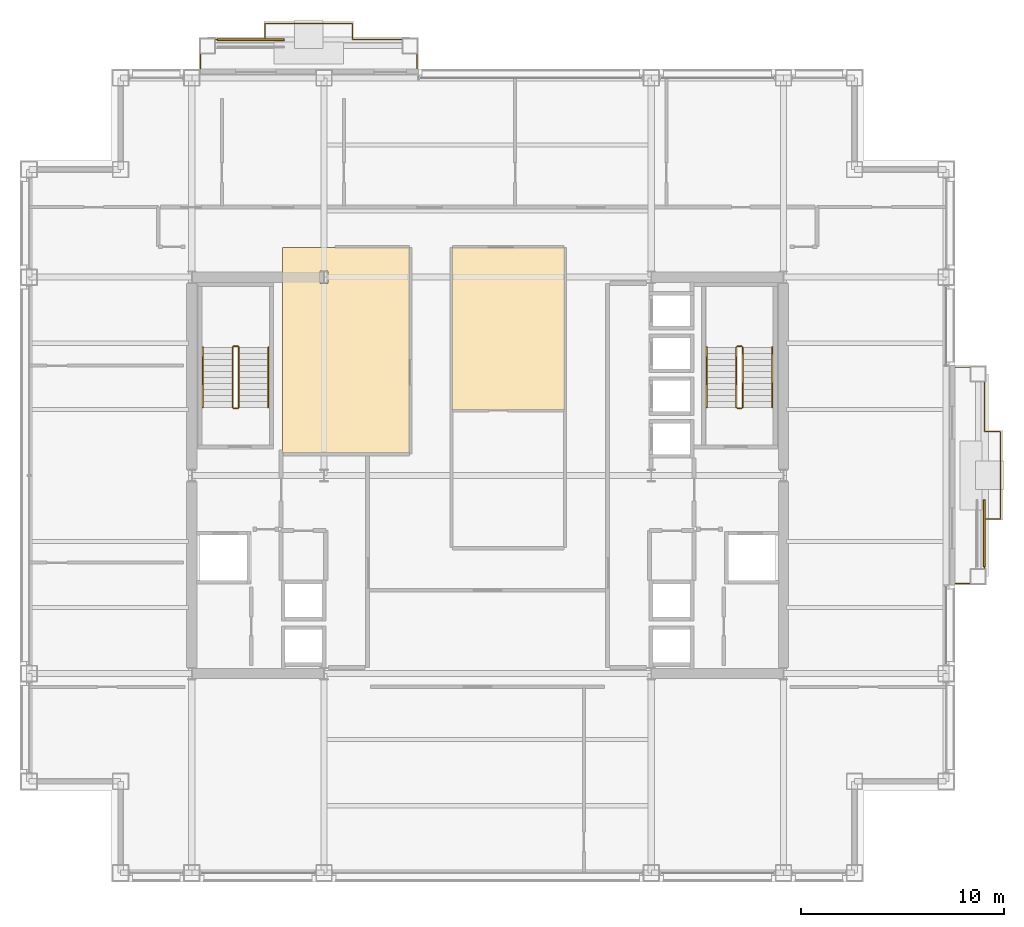
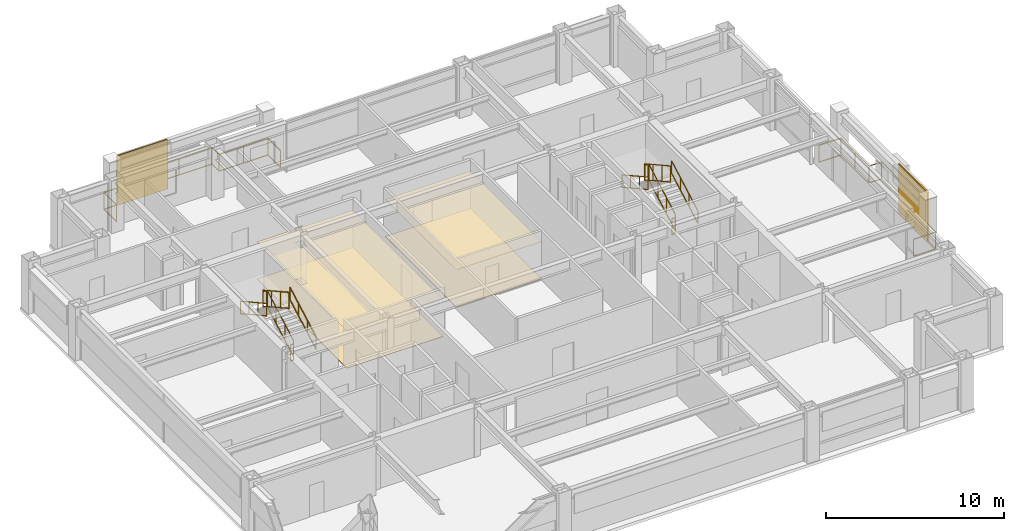
# One storey, part 28 of 29: 14 railings, 4 coverings, 2 shading devices.
"""IFC4 building model written with IfcOpenShell, lengths in metres."""

from ifc_helpers import new_model, si_unit, direction, frame, origin, origin_2d, place, context, subcontext, project, spatial, polyline, rectangle, outline, extrude, material, layer, layer_set, type_object, element, save


model = new_model("IFC4")

# Units and contexts
model_context = context("Model", 3, precision=1e-05, world=origin(), true_north=direction((0.0, 1.0)))
body_context = subcontext(model_context, "Body", "Model", "MODEL_VIEW")
ifc_project = project(units=[si_unit("LENGTHUNIT", "METRE"), si_unit("AREAUNIT", "SQUARE_METRE"), si_unit("VOLUMEUNIT", "CUBIC_METRE"), si_unit("PLANEANGLEUNIT", "RADIAN"), si_unit("MASSUNIT", "GRAM", prefix="KILO")], contexts=[model_context])

# Site, building, storey
site_placement = place(None, origin())
site = spatial("IfcSite", under=ifc_project, at=site_placement, CompositionType="ELEMENT")
building_placement = place(site_placement, origin())
building = spatial("IfcBuilding", under=site, at=building_placement, Name="Brelmoor Portico Tower", CompositionType="ELEMENT")
storey_placement = place(building_placement, frame((0.0, 0.0, 138.60009765625)))
storey = spatial("IfcBuildingStorey", under=building, at=storey_placement, Name="L36", CompositionType="ELEMENT", Elevation=138.60009765625)

# Coverings
ifc_material_1 = material(Name="Perforated Mineral-Fibre Acoustic Ceiling Tile", Category="gypsum")
ifc_layer_1 = layer(ifc_material_1, 0.02490234375)
ifc_layer_set_1 = layer_set([ifc_layer_1], Name="Perforated Mineral-Fibre Acoustic Ceiling Tile")
covering_type_1 = type_object("IfcCoveringType", Name="CV-CEIL-GYPSUM-25", PredefinedType="CEILING", material=ifc_layer_set_1)
covering_1_placement = place(storey_placement, frame((0.0, 0.0, 2.5498046875)))
element("IfcCovering", 1, at=covering_1_placement, inside=storey, type_object=covering_type_1, Name="L36 Acoustic Suspended Ceiling 01", PredefinedType="CEILING", context=body_context, shape_type="SweptSolid", body=[
    extrude(outline(polyline([(-10.080078125, 11.2099609375), (-3.840087890625, 11.2099609375), (-3.840087890625, 1.090087890625), (-10.080078125, 1.090087890625), (-10.080078125, 11.2099609375)]), holes=[polyline([(-7.85009765625, 9.449951171875), (-7.85009765625, 10.050048828125), (-8.25, 10.050048828125), (-8.25, 9.449951171875), (-7.85009765625, 9.449951171875)])]), origin(), (0.0, 0.0, 1.0), 0.025146484375),
])
ifc_material_2 = material(Name="Micro-Perforated Aluminium Clip-In Ceiling", Category="aluminium")
ifc_layer_2 = layer(ifc_material_2, 0.031982421875)
ifc_layer_set_2 = layer_set([ifc_layer_2], Name="Micro-Perforated Aluminium Clip-In Ceiling")
covering_type_2 = type_object("IfcCoveringType", Name="CV-CEIL-METAL-32", PredefinedType="CEILING", material=ifc_layer_set_2)
covering_2_placement = place(storey_placement, frame((0.0, 0.0, 2.5498046875)))
element("IfcCovering", 2, at=covering_2_placement, inside=storey, type_object=covering_type_2, Name="L36 Acoustic Suspended Ceiling 02", PredefinedType="CEILING", context=body_context, shape_type="SweptSolid", body=[
    extrude(outline(polyline([(-1.760009765625, 3.219970703125), (-1.760009765625, 11.2099609375), (3.780029296875, 11.2099609375), (3.780029296875, 3.219970703125), (-1.760009765625, 3.219970703125)])), origin(), (0.0, 0.0, 1.0), 0.031982421875),
])
ifc_material_3 = material(Name="Honed Pearl-Grey Granite Paver Finish", Category="masonry")
ifc_layer_3 = layer(ifc_material_3, 0.0380859375)
ifc_layer_set_3 = layer_set([ifc_layer_3], Name="Honed Pearl-Grey Granite Paver Finish")
covering_type_3 = type_object("IfcCoveringType", Name="CV-FLR-GRANITE-38", PredefinedType="FLOORING", material=ifc_layer_set_3)
covering_3_placement = place(storey_placement, origin())
element("IfcCovering", 3, at=covering_3_placement, inside=storey, type_object=covering_type_3, Name="L36 Architectural Floor Finish 02", PredefinedType="FLOORING", context=body_context, shape_type="SweptSolid", body=[
    extrude(outline(polyline([(-1.760009765625, 3.219970703125), (-1.760009765625, 11.2099609375), (3.780029296875, 11.2099609375), (3.780029296875, 3.219970703125), (-1.760009765625, 3.219970703125)])), origin(), (0.0, 0.0, 1.0), 0.037841796875),
])
ifc_material_4 = material(Name="Polished Pale-Aggregate Cementitious Terrazzo", Category="stone")
ifc_layer_4 = layer(ifc_material_4, 0.030029296875)
ifc_layer_set_4 = layer_set([ifc_layer_4], Name="Polished Pale-Aggregate Cementitious Terrazzo")
covering_type_4 = type_object("IfcCoveringType", Name="CV-FLR-TERRAZZO-30", PredefinedType="FLOORING", material=ifc_layer_set_4)
covering_4_placement = place(storey_placement, origin())
element("IfcCovering", 4, at=covering_4_placement, inside=storey, type_object=covering_type_4, Name="L36 Architectural Floor Finish 01", PredefinedType="FLOORING", context=body_context, shape_type="SweptSolid", body=[
    extrude(outline(polyline([(-10.080078125, 11.2099609375), (-3.840087890625, 11.2099609375), (-3.840087890625, 1.090087890625), (-10.080078125, 1.090087890625), (-10.080078125, 11.2099609375)]), holes=[polyline([(-7.85009765625, 9.449951171875), (-7.85009765625, 10.050048828125), (-8.25, 10.050048828125), (-8.25, 9.449951171875), (-7.85009765625, 9.449951171875)])]), origin(), (0.0, 0.0, 1.0), 0.02978515625),
])

# Railings
ifc_material_5 = material(Name="Perforated Pale Champagne Aluminium Fretwork Guard", Category="aluminium")
railing_type_1 = type_object("IfcRailingType", Name="RL-BALUSTRADE-1200", PredefinedType="BALUSTRADE", material=ifc_material_5)
railing_1_placement = place(storey_placement, frame((-14.1201171875, 20.0, 0.0)))
element("IfcRailing", 5, at=railing_1_placement, inside=storey, type_object=railing_type_1, Name="L36 Tree Balcony Fretwork Balustrade N", PredefinedType="BALUSTRADE", context=body_context, shape_type="SweptSolid", body=[
    extrude(rectangle(XDim=0.048095703125, YDim=0.048095703125, at=origin_2d()), frame((0.0, 0.0, 1.17578125), z_axis=(0.0, 1.0, 0.0), x_axis=(-1.0, 0.0, 0.0)), (0.0, 0.0, 1.0), 1.429931640625),
    extrude(rectangle(XDim=0.048095703125, YDim=0.048095703125, at=origin_2d()), frame((0.0, 0.0, 0.02392578125), z_axis=(0.0, 1.0, 0.0), x_axis=(-1.0, 0.0, 0.0)), (0.0, 0.0, 1.0), 1.429931640625),
    extrude(rectangle(XDim=0.048095703125, YDim=0.048095703125, at=origin_2d()), frame((0.0, 1.429931640625, 1.17578125), z_axis=(1.0, 0.0, 0.0), x_axis=(0.0, 1.0, 0.0)), (0.0, 0.0, 1.0), 3.170166015625),
    extrude(rectangle(XDim=0.048095703125, YDim=0.048095703125, at=origin_2d()), frame((0.0, 1.429931640625, 0.02392578125), z_axis=(1.0, 0.0, 0.0), x_axis=(0.0, 1.0, 0.0)), (0.0, 0.0, 1.0), 3.170166015625),
    extrude(rectangle(XDim=0.048095703125, YDim=0.048095703125, at=origin_2d()), frame((3.170166015625, 1.429931640625, 1.17578125), z_axis=(0.0, 1.0, 0.0), x_axis=(-1.0, 0.0, 0.0)), (0.0, 0.0, 1.0), 0.800048828125),
    extrude(rectangle(XDim=0.048095703125, YDim=0.048095703125, at=origin_2d()), frame((3.170166015625, 1.429931640625, 0.02392578125), z_axis=(0.0, 1.0, 0.0), x_axis=(-1.0, 0.0, 0.0)), (0.0, 0.0, 1.0), 0.800048828125),
    extrude(rectangle(XDim=0.048095703125, YDim=0.048095703125, at=origin_2d()), frame((3.170166015625, 2.22998046875, 1.17578125), z_axis=(1.0, 0.0, 0.0), x_axis=(0.0, 1.0, 0.0)), (0.0, 0.0, 1.0), 4.300048828125),
    extrude(rectangle(XDim=0.048095703125, YDim=0.048095703125, at=origin_2d()), frame((3.170166015625, 2.22998046875, 0.02392578125), z_axis=(1.0, 0.0, 0.0), x_axis=(0.0, 1.0, 0.0)), (0.0, 0.0, 1.0), 4.300048828125),
    extrude(rectangle(XDim=0.048095703125, YDim=0.048095703125, at=origin_2d()), frame((7.47021484375, 2.22998046875, 1.17578125), z_axis=(0.0, -1.0, 0.0), x_axis=(1.0, 0.0, 0.0)), (0.0, 0.0, 1.0), 0.800048828125),
    extrude(rectangle(XDim=0.048095703125, YDim=0.048095703125, at=origin_2d()), frame((7.47021484375, 2.22998046875, 0.02392578125), z_axis=(0.0, -1.0, 0.0), x_axis=(1.0, 0.0, 0.0)), (0.0, 0.0, 1.0), 0.800048828125),
    extrude(rectangle(XDim=0.048095703125, YDim=0.048095703125, at=origin_2d()), frame((7.47021484375, 1.429931640625, 1.17578125), z_axis=(1.0, 0.0, 0.0), x_axis=(0.0, 1.0, 0.0)), (0.0, 0.0, 1.0), 3.169921875),
    extrude(rectangle(XDim=0.048095703125, YDim=0.048095703125, at=origin_2d()), frame((7.47021484375, 1.429931640625, 0.02392578125), z_axis=(1.0, 0.0, 0.0), x_axis=(0.0, 1.0, 0.0)), (0.0, 0.0, 1.0), 3.169921875),
    extrude(rectangle(XDim=0.048095703125, YDim=0.048095703125, at=origin_2d()), frame((10.64013671875, 1.429931640625, 1.17578125), z_axis=(0.0, -1.0, 0.0), x_axis=(1.0, 0.0, 0.0)), (0.0, 0.0, 1.0), 1.429931640625),
    extrude(rectangle(XDim=0.048095703125, YDim=0.048095703125, at=origin_2d()), frame((10.64013671875, 1.429931640625, 0.02392578125), z_axis=(0.0, -1.0, 0.0), x_axis=(1.0, 0.0, 0.0)), (0.0, 0.0, 1.0), 1.429931640625),
    extrude(rectangle(XDim=0.0419921875, YDim=0.0419921875, at=origin_2d()), origin(), (0.0, 0.0, 1.0), 1.15185546875),
    extrude(rectangle(XDim=0.0419921875, YDim=0.0419921875, at=origin_2d()), frame((0.0, 1.429931640625, 0.0)), (0.0, 0.0, 1.0), 1.15185546875),
    extrude(rectangle(XDim=0.0419921875, YDim=0.0419921875, at=origin_2d()), frame((1.5849609375, 1.429931640625, 0.0)), (0.0, 0.0, 1.0), 1.15185546875),
    extrude(rectangle(XDim=0.0419921875, YDim=0.0419921875, at=origin_2d()), frame((3.170166015625, 1.429931640625, 0.0)), (0.0, 0.0, 1.0), 1.15185546875),
    extrude(rectangle(XDim=0.0419921875, YDim=0.0419921875, at=origin_2d()), frame((3.170166015625, 2.22998046875, 0.0)), (0.0, 0.0, 1.0), 1.15185546875),
    extrude(rectangle(XDim=0.0419921875, YDim=0.0419921875, at=origin_2d()), frame((5.3203125, 2.22998046875, 0.0)), (0.0, 0.0, 1.0), 1.15185546875),
    extrude(rectangle(XDim=0.0419921875, YDim=0.0419921875, at=origin_2d()), frame((7.47021484375, 2.22998046875, 0.0)), (0.0, 0.0, 1.0), 1.15185546875),
    extrude(rectangle(XDim=0.0419921875, YDim=0.0419921875, at=origin_2d()), frame((7.47021484375, 1.429931640625, 0.0)), (0.0, 0.0, 1.0), 1.15185546875),
    extrude(rectangle(XDim=0.0419921875, YDim=0.0419921875, at=origin_2d()), frame((9.05517578125, 1.429931640625, 0.0)), (0.0, 0.0, 1.0), 1.15185546875),
    extrude(rectangle(XDim=0.0419921875, YDim=0.0419921875, at=origin_2d()), frame((10.64013671875, 1.429931640625, 0.0)), (0.0, 0.0, 1.0), 1.15185546875),
    extrude(rectangle(XDim=0.0419921875, YDim=0.0419921875, at=origin_2d()), frame((10.64013671875, 0.0, 0.0)), (0.0, 0.0, 1.0), 1.15185546875),
])
railing_2_placement = place(storey_placement, frame((23.0, -5.320068359375, 0.0)))
element("IfcRailing", 6, at=railing_2_placement, inside=storey, type_object=railing_type_1, Name="L36 Tree Balcony Fretwork Balustrade E", PredefinedType="BALUSTRADE", context=body_context, shape_type="SweptSolid", body=[
    extrude(rectangle(XDim=0.048095703125, YDim=0.048095703125, at=origin_2d()), frame((0.0, 0.0, 1.17578125), z_axis=(1.0, 0.0, 0.0), x_axis=(0.0, 1.0, 0.0)), (0.0, 0.0, 1.0), 1.429931640625),
    extrude(rectangle(XDim=0.048095703125, YDim=0.048095703125, at=origin_2d()), frame((0.0, 0.0, 0.02392578125), z_axis=(1.0, 0.0, 0.0), x_axis=(0.0, 1.0, 0.0)), (0.0, 0.0, 1.0), 1.429931640625),
    extrude(rectangle(XDim=0.048095703125, YDim=0.048095703125, at=origin_2d()), frame((1.429931640625, 0.0, 1.17578125), z_axis=(0.0, 1.0, 0.0), x_axis=(-1.0, 0.0, 0.0)), (0.0, 0.0, 1.0), 3.170166015625),
    extrude(rectangle(XDim=0.048095703125, YDim=0.048095703125, at=origin_2d()), frame((1.429931640625, 0.0, 0.02392578125), z_axis=(0.0, 1.0, 0.0), x_axis=(-1.0, 0.0, 0.0)), (0.0, 0.0, 1.0), 3.170166015625),
    extrude(rectangle(XDim=0.048095703125, YDim=0.048095703125, at=origin_2d()), frame((1.429931640625, 3.170166015625, 1.17578125), z_axis=(1.0, 0.0, 0.0), x_axis=(0.0, 1.0, 0.0)), (0.0, 0.0, 1.0), 0.800048828125),
    extrude(rectangle(XDim=0.048095703125, YDim=0.048095703125, at=origin_2d()), frame((1.429931640625, 3.170166015625, 0.02392578125), z_axis=(1.0, 0.0, 0.0), x_axis=(0.0, 1.0, 0.0)), (0.0, 0.0, 1.0), 0.800048828125),
    extrude(rectangle(XDim=0.048095703125, YDim=0.048095703125, at=origin_2d()), frame((2.22998046875, 3.170166015625, 1.17578125), z_axis=(0.0, 1.0, 0.0), x_axis=(-1.0, 0.0, 0.0)), (0.0, 0.0, 1.0), 4.2998046875),
    extrude(rectangle(XDim=0.048095703125, YDim=0.048095703125, at=origin_2d()), frame((2.22998046875, 3.170166015625, 0.02392578125), z_axis=(0.0, 1.0, 0.0), x_axis=(-1.0, 0.0, 0.0)), (0.0, 0.0, 1.0), 4.2998046875),
    extrude(rectangle(XDim=0.048095703125, YDim=0.048095703125, at=origin_2d()), frame((2.22998046875, 7.469970703125, 1.17578125), z_axis=(-1.0, 0.0, 0.0), x_axis=(0.0, -1.0, 0.0)), (0.0, 0.0, 1.0), 0.800048828125),
    extrude(rectangle(XDim=0.048095703125, YDim=0.048095703125, at=origin_2d()), frame((2.22998046875, 7.469970703125, 0.02392578125), z_axis=(-1.0, 0.0, 0.0), x_axis=(0.0, -1.0, 0.0)), (0.0, 0.0, 1.0), 0.800048828125),
    extrude(rectangle(XDim=0.048095703125, YDim=0.048095703125, at=origin_2d()), frame((1.429931640625, 7.469970703125, 1.17578125), z_axis=(0.0, 1.0, 0.0), x_axis=(-1.0, 0.0, 0.0)), (0.0, 0.0, 1.0), 3.170166015625),
    extrude(rectangle(XDim=0.048095703125, YDim=0.048095703125, at=origin_2d()), frame((1.429931640625, 7.469970703125, 0.02392578125), z_axis=(0.0, 1.0, 0.0), x_axis=(-1.0, 0.0, 0.0)), (0.0, 0.0, 1.0), 3.170166015625),
    extrude(rectangle(XDim=0.048095703125, YDim=0.048095703125, at=origin_2d()), frame((1.429931640625, 10.64013671875, 1.17578125), z_axis=(-1.0, 0.0, 0.0), x_axis=(0.0, -1.0, 0.0)), (0.0, 0.0, 1.0), 1.429931640625),
    extrude(rectangle(XDim=0.048095703125, YDim=0.048095703125, at=origin_2d()), frame((1.429931640625, 10.64013671875, 0.02392578125), z_axis=(-1.0, 0.0, 0.0), x_axis=(0.0, -1.0, 0.0)), (0.0, 0.0, 1.0), 1.429931640625),
    extrude(rectangle(XDim=0.0419921875, YDim=0.0419921875, at=origin_2d()), origin(), (0.0, 0.0, 1.0), 1.15185546875),
    extrude(rectangle(XDim=0.0419921875, YDim=0.0419921875, at=origin_2d()), frame((1.429931640625, 0.0, 0.0)), (0.0, 0.0, 1.0), 1.15185546875),
    extrude(rectangle(XDim=0.0419921875, YDim=0.0419921875, at=origin_2d()), frame((1.429931640625, 1.5849609375, 0.0)), (0.0, 0.0, 1.0), 1.15185546875),
    extrude(rectangle(XDim=0.0419921875, YDim=0.0419921875, at=origin_2d()), frame((1.429931640625, 3.170166015625, 0.0)), (0.0, 0.0, 1.0), 1.15185546875),
    extrude(rectangle(XDim=0.0419921875, YDim=0.0419921875, at=origin_2d()), frame((2.22998046875, 3.170166015625, 0.0)), (0.0, 0.0, 1.0), 1.15185546875),
    extrude(rectangle(XDim=0.0419921875, YDim=0.0419921875, at=origin_2d()), frame((2.22998046875, 5.320068359375, 0.0)), (0.0, 0.0, 1.0), 1.15185546875),
    extrude(rectangle(XDim=0.0419921875, YDim=0.0419921875, at=origin_2d()), frame((2.22998046875, 7.469970703125, 0.0)), (0.0, 0.0, 1.0), 1.15185546875),
    extrude(rectangle(XDim=0.0419921875, YDim=0.0419921875, at=origin_2d()), frame((1.429931640625, 7.469970703125, 0.0)), (0.0, 0.0, 1.0), 1.15185546875),
    extrude(rectangle(XDim=0.0419921875, YDim=0.0419921875, at=origin_2d()), frame((1.429931640625, 9.05517578125, 0.0)), (0.0, 0.0, 1.0), 1.15185546875),
    extrude(rectangle(XDim=0.0419921875, YDim=0.0419921875, at=origin_2d()), frame((1.429931640625, 10.64013671875, 0.0)), (0.0, 0.0, 1.0), 1.15185546875),
    extrude(rectangle(XDim=0.0419921875, YDim=0.0419921875, at=origin_2d()), frame((0.0, 10.64013671875, 0.0)), (0.0, 0.0, 1.0), 1.15185546875),
])
ifc_material_6 = material(Name="Painted Tubular Steel Q235B", Category="steel")
railing_type_2 = type_object("IfcRailingType", Name="RL-STAIR-GUARD", PredefinedType="GUARDRAIL", material=ifc_material_6)
railing_3_placement = place(storey_placement, frame((-12.239990234375, 3.35009765625, 0.16357421875)))
element("IfcRailing", 7, at=railing_3_placement, inside=storey, type_object=railing_type_2, Name="L36 ST-W stair guard 1", PredefinedType="GUARDRAIL", context=body_context, shape_type="SweptSolid", body=[
    extrude(rectangle(XDim=0.048095703125, YDim=0.048095703125, at=origin_2d()), frame((0.0, 0.0, 1.1259765625), z_axis=(0.0, 0.87448821551, 0.485046761595), x_axis=(-1.0, 0.0, 0.0)), (0.0, 0.0, 1.0), 3.373291015625),
    extrude(rectangle(XDim=0.048095703125, YDim=0.048095703125, at=origin_2d()), frame((0.0, 0.0, 0.02392578125), z_axis=(0.0, 0.87448821551, 0.485046761595), x_axis=(-1.0, 0.0, 0.0)), (0.0, 0.0, 1.0), 3.373291015625),
    extrude(rectangle(XDim=0.0419921875, YDim=0.0419921875, at=origin_2d()), origin(), (0.0, 0.0, 1.0), 1.101806640625),
    extrude(rectangle(XDim=0.0419921875, YDim=0.0419921875, at=origin_2d()), frame((0.0, 0.9833984375, 0.54541015625)), (0.0, 0.0, 1.0), 1.101806640625),
    extrude(rectangle(XDim=0.0419921875, YDim=0.0419921875, at=origin_2d()), frame((0.0, 1.966552734375, 1.0908203125)), (0.0, 0.0, 1.0), 1.101806640625),
    extrude(rectangle(XDim=0.0419921875, YDim=0.0419921875, at=origin_2d()), frame((0.0, 2.949951171875, 1.63623046875)), (0.0, 0.0, 1.0), 1.101806640625),
])
railing_4_placement = place(storey_placement, frame((-12.2900390625, 6.35009765625, 1.7998046875)))
element("IfcRailing", 8, at=railing_4_placement, inside=storey, type_object=railing_type_2, Name="L36 ST-W stair guard 2", PredefinedType="GUARDRAIL", context=body_context, shape_type="SweptSolid", body=[
    extrude(rectangle(XDim=0.048095703125, YDim=0.048095703125, at=origin_2d()), frame((0.0, 0.0, 1.1259765625), z_axis=(-1.0, 0.0, 0.0), x_axis=(0.0, -1.0, 0.0)), (0.0, 0.0, 1.0), 0.199951171875),
    extrude(rectangle(XDim=0.048095703125, YDim=0.048095703125, at=origin_2d()), frame((0.0, 0.0, 0.02392578125), z_axis=(-1.0, 0.0, 0.0), x_axis=(0.0, -1.0, 0.0)), (0.0, 0.0, 1.0), 0.199951171875),
    extrude(rectangle(XDim=0.0419921875, YDim=0.0419921875, at=origin_2d()), origin(), (0.0, 0.0, 1.0), 1.101806640625),
    extrude(rectangle(XDim=0.0419921875, YDim=0.0419921875, at=origin_2d()), frame((-0.199951171875, 0.0, 0.0)), (0.0, 0.0, 1.0), 1.101806640625),
])
railing_5_placement = place(storey_placement, frame((-12.5400390625, 6.300048828125, 1.963623046875)))
element("IfcRailing", 9, at=railing_5_placement, inside=storey, type_object=railing_type_2, Name="L36 ST-W stair guard 3", PredefinedType="GUARDRAIL", context=body_context, shape_type="SweptSolid", body=[
    extrude(rectangle(XDim=0.048095703125, YDim=0.048095703125, at=origin_2d()), frame((0.0, 0.0, 1.1259765625), z_axis=(0.0, -0.87448821551, 0.485046761595), x_axis=(1.0, 0.0, 0.0)), (0.0, 0.0, 1.0), 3.373291015625),
    extrude(rectangle(XDim=0.048095703125, YDim=0.048095703125, at=origin_2d()), frame((0.0, 0.0, 0.02392578125), z_axis=(0.0, -0.87448821551, 0.485046761595), x_axis=(1.0, 0.0, 0.0)), (0.0, 0.0, 1.0), 3.373291015625),
    extrude(rectangle(XDim=0.0419921875, YDim=0.0419921875, at=origin_2d()), origin(), (0.0, 0.0, 1.0), 1.101806640625),
    extrude(rectangle(XDim=0.0419921875, YDim=0.0419921875, at=origin_2d()), frame((0.0, -0.9833984375, 0.54541015625)), (0.0, 0.0, 1.0), 1.101806640625),
    extrude(rectangle(XDim=0.0419921875, YDim=0.0419921875, at=origin_2d()), frame((0.0, -1.966552734375, 1.0908203125)), (0.0, 0.0, 1.0), 1.101806640625),
    extrude(rectangle(XDim=0.0419921875, YDim=0.0419921875, at=origin_2d()), frame((0.0, -2.949951171875, 1.63623046875)), (0.0, 0.0, 1.0), 1.101806640625),
])
railing_6_placement = place(storey_placement, frame((-12.2900390625, 3.300048828125, 0.0)))
element("IfcRailing", 10, at=railing_6_placement, inside=storey, type_object=railing_type_2, Name="L36 ST-W stair guard 4", PredefinedType="GUARDRAIL", context=body_context, shape_type="SweptSolid", body=[
    extrude(rectangle(XDim=0.048095703125, YDim=0.048095703125, at=origin_2d()), frame((0.0, 0.0, 1.1259765625), z_axis=(-1.0, 0.0, 0.0), x_axis=(0.0, -1.0, 0.0)), (0.0, 0.0, 1.0), 0.199951171875),
    extrude(rectangle(XDim=0.048095703125, YDim=0.048095703125, at=origin_2d()), frame((0.0, 0.0, 0.02392578125), z_axis=(-1.0, 0.0, 0.0), x_axis=(0.0, -1.0, 0.0)), (0.0, 0.0, 1.0), 0.199951171875),
    extrude(rectangle(XDim=0.0419921875, YDim=0.0419921875, at=origin_2d()), origin(), (0.0, 0.0, 1.0), 1.101806640625),
    extrude(rectangle(XDim=0.0419921875, YDim=0.0419921875, at=origin_2d()), frame((-0.199951171875, 0.0, 0.0)), (0.0, 0.0, 1.0), 1.101806640625),
])
railing_7_placement = place(storey_placement, frame((12.5400390625, 3.35009765625, 0.16357421875)))
element("IfcRailing", 11, at=railing_7_placement, inside=storey, type_object=railing_type_2, Name="L36 ST-E stair guard 1", PredefinedType="GUARDRAIL", context=body_context, shape_type="SweptSolid", body=[
    extrude(rectangle(XDim=0.048095703125, YDim=0.048095703125, at=origin_2d()), frame((0.0, 0.0, 1.1259765625), z_axis=(0.0, 0.87448821551, 0.485046761595), x_axis=(-1.0, 0.0, 0.0)), (0.0, 0.0, 1.0), 3.373291015625),
    extrude(rectangle(XDim=0.048095703125, YDim=0.048095703125, at=origin_2d()), frame((0.0, 0.0, 0.02392578125), z_axis=(0.0, 0.87448821551, 0.485046761595), x_axis=(-1.0, 0.0, 0.0)), (0.0, 0.0, 1.0), 3.373291015625),
    extrude(rectangle(XDim=0.0419921875, YDim=0.0419921875, at=origin_2d()), origin(), (0.0, 0.0, 1.0), 1.101806640625),
    extrude(rectangle(XDim=0.0419921875, YDim=0.0419921875, at=origin_2d()), frame((0.0, 0.9833984375, 0.54541015625)), (0.0, 0.0, 1.0), 1.101806640625),
    extrude(rectangle(XDim=0.0419921875, YDim=0.0419921875, at=origin_2d()), frame((0.0, 1.966552734375, 1.0908203125)), (0.0, 0.0, 1.0), 1.101806640625),
    extrude(rectangle(XDim=0.0419921875, YDim=0.0419921875, at=origin_2d()), frame((0.0, 2.949951171875, 1.63623046875)), (0.0, 0.0, 1.0), 1.101806640625),
])
railing_8_placement = place(storey_placement, frame((12.489990234375, 6.35009765625, 1.7998046875)))
element("IfcRailing", 12, at=railing_8_placement, inside=storey, type_object=railing_type_2, Name="L36 ST-E stair guard 2", PredefinedType="GUARDRAIL", context=body_context, shape_type="SweptSolid", body=[
    extrude(rectangle(XDim=0.048095703125, YDim=0.048095703125, at=origin_2d()), frame((0.0, 0.0, 1.1259765625), z_axis=(-1.0, 0.0, 0.0), x_axis=(0.0, -1.0, 0.0)), (0.0, 0.0, 1.0), 0.199951171875),
    extrude(rectangle(XDim=0.048095703125, YDim=0.048095703125, at=origin_2d()), frame((0.0, 0.0, 0.02392578125), z_axis=(-1.0, 0.0, 0.0), x_axis=(0.0, -1.0, 0.0)), (0.0, 0.0, 1.0), 0.199951171875),
    extrude(rectangle(XDim=0.0419921875, YDim=0.0419921875, at=origin_2d()), origin(), (0.0, 0.0, 1.0), 1.101806640625),
    extrude(rectangle(XDim=0.0419921875, YDim=0.0419921875, at=origin_2d()), frame((-0.199951171875, 0.0, 0.0)), (0.0, 0.0, 1.0), 1.101806640625),
])
railing_9_placement = place(storey_placement, frame((12.239990234375, 6.300048828125, 1.963623046875)))
element("IfcRailing", 13, at=railing_9_placement, inside=storey, type_object=railing_type_2, Name="L36 ST-E stair guard 3", PredefinedType="GUARDRAIL", context=body_context, shape_type="SweptSolid", body=[
    extrude(rectangle(XDim=0.048095703125, YDim=0.048095703125, at=origin_2d()), frame((0.0, 0.0, 1.1259765625), z_axis=(0.0, -0.87448821551, 0.485046761595), x_axis=(1.0, 0.0, 0.0)), (0.0, 0.0, 1.0), 3.373291015625),
    extrude(rectangle(XDim=0.048095703125, YDim=0.048095703125, at=origin_2d()), frame((0.0, 0.0, 0.02392578125), z_axis=(0.0, -0.87448821551, 0.485046761595), x_axis=(1.0, 0.0, 0.0)), (0.0, 0.0, 1.0), 3.373291015625),
    extrude(rectangle(XDim=0.0419921875, YDim=0.0419921875, at=origin_2d()), origin(), (0.0, 0.0, 1.0), 1.101806640625),
    extrude(rectangle(XDim=0.0419921875, YDim=0.0419921875, at=origin_2d()), frame((0.0, -0.9833984375, 0.54541015625)), (0.0, 0.0, 1.0), 1.101806640625),
    extrude(rectangle(XDim=0.0419921875, YDim=0.0419921875, at=origin_2d()), frame((0.0, -1.966552734375, 1.0908203125)), (0.0, 0.0, 1.0), 1.101806640625),
    extrude(rectangle(XDim=0.0419921875, YDim=0.0419921875, at=origin_2d()), frame((0.0, -2.949951171875, 1.63623046875)), (0.0, 0.0, 1.0), 1.101806640625),
])
railing_10_placement = place(storey_placement, frame((12.489990234375, 3.300048828125, 0.0)))
element("IfcRailing", 14, at=railing_10_placement, inside=storey, type_object=railing_type_2, Name="L36 ST-E stair guard 4", PredefinedType="GUARDRAIL", context=body_context, shape_type="SweptSolid", body=[
    extrude(rectangle(XDim=0.048095703125, YDim=0.048095703125, at=origin_2d()), frame((0.0, 0.0, 1.1259765625), z_axis=(-1.0, 0.0, 0.0), x_axis=(0.0, -1.0, 0.0)), (0.0, 0.0, 1.0), 0.199951171875),
    extrude(rectangle(XDim=0.048095703125, YDim=0.048095703125, at=origin_2d()), frame((0.0, 0.0, 0.02392578125), z_axis=(-1.0, 0.0, 0.0), x_axis=(0.0, -1.0, 0.0)), (0.0, 0.0, 1.0), 0.199951171875),
    extrude(rectangle(XDim=0.0419921875, YDim=0.0419921875, at=origin_2d()), origin(), (0.0, 0.0, 1.0), 1.101806640625),
    extrude(rectangle(XDim=0.0419921875, YDim=0.0419921875, at=origin_2d()), frame((-0.199951171875, 0.0, 0.0)), (0.0, 0.0, 1.0), 1.101806640625),
])
ifc_material_7 = material(Name="Brushed Stainless Steel 304", Category="steel")
railing_type_3 = type_object("IfcRailingType", Name="RL-STAIR-HANDRAIL", PredefinedType="HANDRAIL", material=ifc_material_7)
railing_11_placement = place(storey_placement, frame((-10.780029296875, 3.35009765625, 0.16357421875)))
element("IfcRailing", 15, at=railing_11_placement, inside=storey, type_object=railing_type_3, Name="L36 ST-W stair handrail 1", PredefinedType="HANDRAIL", context=body_context, shape_type="SweptSolid", body=[
    extrude(rectangle(XDim=0.048095703125, YDim=0.048095703125, at=origin_2d()), frame((0.0, 0.0, 0.8759765625), z_axis=(0.0, 0.87448821551, 0.485046761595), x_axis=(-1.0, 0.0, 0.0)), (0.0, 0.0, 1.0), 3.373291015625),
    extrude(rectangle(XDim=0.048095703125, YDim=0.048095703125, at=origin_2d()), frame((0.0, 0.0, 0.02392578125), z_axis=(0.0, 0.87448821551, 0.485046761595), x_axis=(-1.0, 0.0, 0.0)), (0.0, 0.0, 1.0), 3.373291015625),
    extrude(rectangle(XDim=0.0419921875, YDim=0.0419921875, at=origin_2d()), origin(), (0.0, 0.0, 1.0), 0.851806640625),
    extrude(rectangle(XDim=0.0419921875, YDim=0.0419921875, at=origin_2d()), frame((0.0, 0.9833984375, 0.54541015625)), (0.0, 0.0, 1.0), 0.851806640625),
    extrude(rectangle(XDim=0.0419921875, YDim=0.0419921875, at=origin_2d()), frame((0.0, 1.966552734375, 1.0908203125)), (0.0, 0.0, 1.0), 0.851806640625),
    extrude(rectangle(XDim=0.0419921875, YDim=0.0419921875, at=origin_2d()), frame((0.0, 2.949951171875, 1.63623046875)), (0.0, 0.0, 1.0), 0.851806640625),
])
railing_12_placement = place(storey_placement, frame((-14.0, 6.300048828125, 1.963623046875)))
element("IfcRailing", 16, at=railing_12_placement, inside=storey, type_object=railing_type_3, Name="L36 ST-W stair handrail 2", PredefinedType="HANDRAIL", context=body_context, shape_type="SweptSolid", body=[
    extrude(rectangle(XDim=0.048095703125, YDim=0.048095703125, at=origin_2d()), frame((0.0, 0.0, 0.8759765625), z_axis=(0.0, -0.87448821551, 0.485046761595), x_axis=(1.0, 0.0, 0.0)), (0.0, 0.0, 1.0), 3.373291015625),
    extrude(rectangle(XDim=0.048095703125, YDim=0.048095703125, at=origin_2d()), frame((0.0, 0.0, 0.02392578125), z_axis=(0.0, -0.87448821551, 0.485046761595), x_axis=(1.0, 0.0, 0.0)), (0.0, 0.0, 1.0), 3.373291015625),
    extrude(rectangle(XDim=0.0419921875, YDim=0.0419921875, at=origin_2d()), origin(), (0.0, 0.0, 1.0), 0.851806640625),
    extrude(rectangle(XDim=0.0419921875, YDim=0.0419921875, at=origin_2d()), frame((0.0, -0.9833984375, 0.54541015625)), (0.0, 0.0, 1.0), 0.851806640625),
    extrude(rectangle(XDim=0.0419921875, YDim=0.0419921875, at=origin_2d()), frame((0.0, -1.966552734375, 1.0908203125)), (0.0, 0.0, 1.0), 0.851806640625),
    extrude(rectangle(XDim=0.0419921875, YDim=0.0419921875, at=origin_2d()), frame((0.0, -2.949951171875, 1.63623046875)), (0.0, 0.0, 1.0), 0.851806640625),
])
railing_13_placement = place(storey_placement, frame((14.0, 3.35009765625, 0.16357421875)))
element("IfcRailing", 17, at=railing_13_placement, inside=storey, type_object=railing_type_3, Name="L36 ST-E stair handrail 1", PredefinedType="HANDRAIL", context=body_context, shape_type="SweptSolid", body=[
    extrude(rectangle(XDim=0.048095703125, YDim=0.048095703125, at=origin_2d()), frame((0.0, 0.0, 0.8759765625), z_axis=(0.0, 0.87448821551, 0.485046761595), x_axis=(-1.0, 0.0, 0.0)), (0.0, 0.0, 1.0), 3.373291015625),
    extrude(rectangle(XDim=0.048095703125, YDim=0.048095703125, at=origin_2d()), frame((0.0, 0.0, 0.02392578125), z_axis=(0.0, 0.87448821551, 0.485046761595), x_axis=(-1.0, 0.0, 0.0)), (0.0, 0.0, 1.0), 3.373291015625),
    extrude(rectangle(XDim=0.0419921875, YDim=0.0419921875, at=origin_2d()), origin(), (0.0, 0.0, 1.0), 0.851806640625),
    extrude(rectangle(XDim=0.0419921875, YDim=0.0419921875, at=origin_2d()), frame((0.0, 0.9833984375, 0.54541015625)), (0.0, 0.0, 1.0), 0.851806640625),
    extrude(rectangle(XDim=0.0419921875, YDim=0.0419921875, at=origin_2d()), frame((0.0, 1.966552734375, 1.0908203125)), (0.0, 0.0, 1.0), 0.851806640625),
    extrude(rectangle(XDim=0.0419921875, YDim=0.0419921875, at=origin_2d()), frame((0.0, 2.949951171875, 1.63623046875)), (0.0, 0.0, 1.0), 0.851806640625),
])
railing_14_placement = place(storey_placement, frame((10.780029296875, 6.300048828125, 1.963623046875)))
element("IfcRailing", 18, at=railing_14_placement, inside=storey, type_object=railing_type_3, Name="L36 ST-E stair handrail 2", PredefinedType="HANDRAIL", context=body_context, shape_type="SweptSolid", body=[
    extrude(rectangle(XDim=0.048095703125, YDim=0.048095703125, at=origin_2d()), frame((0.0, 0.0, 0.8759765625), z_axis=(0.0, -0.87448821551, 0.485046761595), x_axis=(1.0, 0.0, 0.0)), (0.0, 0.0, 1.0), 3.373291015625),
    extrude(rectangle(XDim=0.048095703125, YDim=0.048095703125, at=origin_2d()), frame((0.0, 0.0, 0.02392578125), z_axis=(0.0, -0.87448821551, 0.485046761595), x_axis=(1.0, 0.0, 0.0)), (0.0, 0.0, 1.0), 3.373291015625),
    extrude(rectangle(XDim=0.0419921875, YDim=0.0419921875, at=origin_2d()), origin(), (0.0, 0.0, 1.0), 0.851806640625),
    extrude(rectangle(XDim=0.0419921875, YDim=0.0419921875, at=origin_2d()), frame((0.0, -0.9833984375, 0.54541015625)), (0.0, 0.0, 1.0), 0.851806640625),
    extrude(rectangle(XDim=0.0419921875, YDim=0.0419921875, at=origin_2d()), frame((0.0, -1.966552734375, 1.0908203125)), (0.0, 0.0, 1.0), 0.851806640625),
    extrude(rectangle(XDim=0.0419921875, YDim=0.0419921875, at=origin_2d()), frame((0.0, -2.949951171875, 1.63623046875)), (0.0, 0.0, 1.0), 0.851806640625),
])

# Shading devices
ifc_material_8 = material(Name="Powder-Coated Aluminium Shuttered Jalousie", Category="aluminium")
ifc_layer_5 = layer(ifc_material_8, 0.080078125)
ifc_layer_set_5 = layer_set([ifc_layer_5], Name="Powder-Coated Aluminium Shuttered Jalousie")
shading_device_type = type_object("IfcShadingDeviceType", Name="SD-JALOUSIE-LOGGIA", PredefinedType="JALOUSIE", material=ifc_layer_set_5)
for number, where, z_axis, x_axis, name in (
    (19, (-11.64990234375, 21.429931640625, 0.0), (0.0, 0.0, 1.0), (1.0, 0.0, 0.0), "L36 Loggia Shuttered Jalousie N"),
    (20, (24.429931640625, -2.85009765625, 0.0), (0.0, 0.0, 1.0), (0.0, 1.0, 0.0), "L36 Loggia Shuttered Jalousie E"),
):
    element("IfcShadingDevice", number, at=place(storey_placement, frame(where, z_axis=z_axis, x_axis=x_axis)), inside=storey, type_object=shading_device_type, Name=name, PredefinedType="JALOUSIE", context=body_context, shape_type="SweptSolid", body=[
        extrude(rectangle(XDim=3.300048828125, YDim=0.080078125, at=origin_2d()), origin(), (0.0, 0.0, 1.0), 3.39990234375),
    ])

save(model, "model.ifc")
